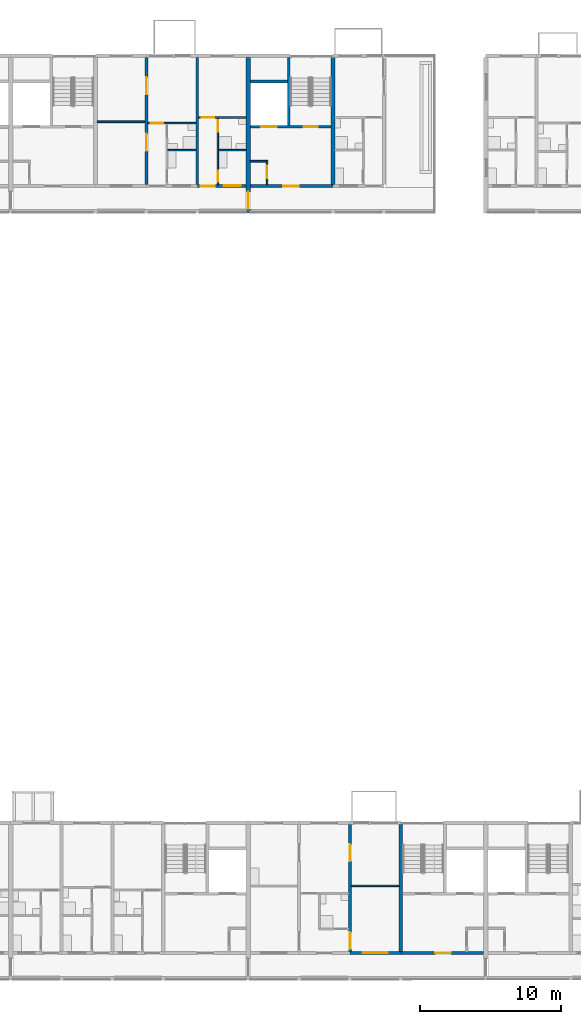
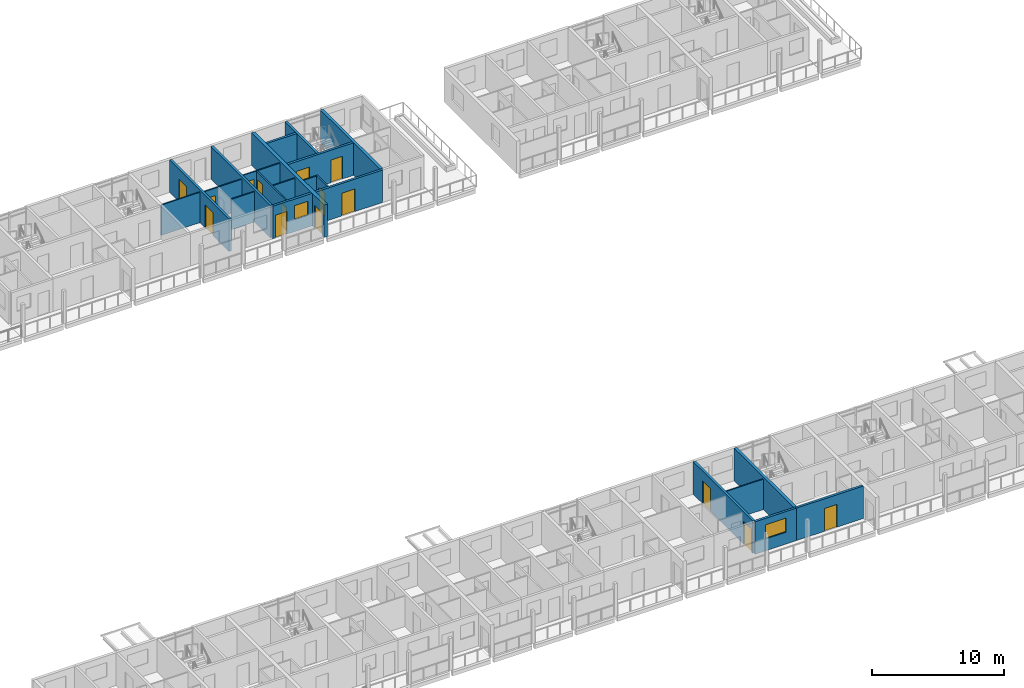
# One storey, part 52 of 94: 22 walls, 15 doors, 2 windows, 17 openings.
"""IFC4 building model written with IfcOpenShell, lengths in metres."""

from ifc_helpers import new_model, si_unit, direction, frame, frame_2d, origin, place, context, subcontext, project, spatial, rectangle, extrude, material, layer, layer_set, type_object, element, fill, save


model = new_model("IFC4")

# Units and contexts
model_context = context("Model", 3, precision=1e-05, world=origin(), true_north=direction((0.0, 1.0)))
body_context = subcontext(model_context, "Body", "Model", "MODEL_VIEW")
ifc_project = project(units=[si_unit("LENGTHUNIT", "METRE"), si_unit("AREAUNIT", "SQUARE_METRE"), si_unit("VOLUMEUNIT", "CUBIC_METRE"), si_unit("PLANEANGLEUNIT", "RADIAN"), si_unit("MASSUNIT", "GRAM", prefix="KILO")], contexts=[model_context])

# Site, building, storey
site_placement = place(None, origin())
site = spatial("IfcSite", under=ifc_project, at=site_placement, CompositionType="ELEMENT")
building_placement = place(site_placement, origin())
building = spatial("IfcBuilding", under=site, at=building_placement, Name="Ridgestep Commons", CompositionType="ELEMENT")
storey_placement = place(building_placement, frame((0.0, 0.0, 24.0)))
storey = spatial("IfcBuildingStorey", under=building, at=storey_placement, Name="L08", CompositionType="ELEMENT", Elevation=24.0)

# Walls
ifc_material_1 = material(Name="Concrete C30/37", Category="concrete")
ifc_layer_1 = layer(ifc_material_1, 0.25)
ifc_layer_set_1 = layer_set([ifc_layer_1], Name="Core cross wall 250")
wall_type_1 = type_object("IfcWallType", Name="Core cross wall 250", PredefinedType="SHEAR", material=ifc_layer_set_1)
for number, where, z_axis, x_axis, name in (
    (1, (203.199951171875, 68.0, 0.0), (0.0, 0.0, 1.0), (0.0, 1.0, 0.0), "Cross wall C-08-2032"),
    (2, (208.0, 13.75, 0.0), (0.0, 0.0, 1.0), (0.0, 1.0, 0.0), "Cross wall D-08-2080"),
):
    element("IfcWall", number, at=place(storey_placement, frame(where, z_axis=z_axis, x_axis=x_axis)), inside=storey, type_object=wall_type_1, Name=name, PredefinedType="SHEAR", context=body_context, shape_type="SweptSolid", body=[
        extrude(rectangle(XDim=9.0, YDim=0.25, at=frame_2d((4.5, 0.0))), origin(), (0.0, 0.0, 1.0), 3.0),
    ])

# Wall, opening, door
ifc_material_2 = material(Name="Concrete C30/37", Category="concrete")
ifc_layer_2 = layer(ifc_material_2, 0.199951171875)
ifc_layer_set_2 = layer_set([ifc_layer_2], Name="Core south wall 200")
wall_type_2 = type_object("IfcWallType", Name="Core south wall 200", PredefinedType="SHEAR", material=ifc_layer_set_2)
wall_1_placement = place(storey_placement, frame((197.35009765625, 67.89990234375, 0.0), z_axis=(0.0, 0.0, 1.0), x_axis=(1.0, 0.0, 0.0)))
wall_1 = element("IfcWall", 3, at=wall_1_placement, inside=storey, type_object=wall_type_2, Name="Core south wall C4C L08", PredefinedType="SHEAR", context=body_context, shape_type="SweptSolid", body=[
    extrude(rectangle(XDim=5.849853515625, YDim=0.199951171875, at=frame_2d((2.9248046875, 0.0))), origin(), (0.0, 0.0, 1.0), 3.0),
])
opening_1_placement = place(wall_1_placement, frame((2.3125, 0.0, 0.0)))
opening_1 = element("IfcOpeningElement", 4, at=opening_1_placement, cuts=wall_1, Name="Opening C4C/08/1", PredefinedType="OPENING", context=body_context, shape_type="SweptSolid", body=[
    extrude(rectangle(XDim=1.10009765625, YDim=2.10009765625, at=frame_2d((0.550048828125, 1.050048828125))), frame((0.0, 0.10986328125, 0.0), z_axis=(0.0, -1.0, 0.0), x_axis=(1.0, 0.0, 0.0)), (0.0, 0.0, 1.0), 0.219970703125),
])
ifc_material_3 = material(Name="Steel fire door", Category="steel")
door_type_1 = type_object("IfcDoorType", Name="Lobby door 1100 x 2100 FD60", OperationType="NOTDEFINED", PredefinedType="DOOR", material=ifc_material_3)
door_1_placement = place(opening_1_placement, origin())
door_1 = element("IfcDoor", 5, at=door_1_placement, inside=storey, type_object=door_type_1, Name="Lobby door C4C/08/1", OperationType="SINGLE_SWING_LEFT", OverallHeight=2.10009765625, OverallWidth=1.10009765625, PredefinedType="DOOR", context=body_context, shape_type="SweptSolid", body=[
    extrude(rectangle(XDim=1.10009765625, YDim=2.10009765625, at=frame_2d((0.550048828125, 1.050048828125))), frame((0.0, 0.02490234375, 0.0), z_axis=(0.0, -1.0, 0.0), x_axis=(1.0, 0.0, 0.0)), (0.0, 0.0, 1.0), 0.050048828125),
])
fill(opening_1, door_1)

wall_2_placement = place(storey_placement, frame((208.0, 13.64990234375, 0.0), z_axis=(0.0, 0.0, 1.0), x_axis=(1.0, 0.0, 0.0)))
wall_2 = element("IfcWall", 6, at=wall_2_placement, inside=storey, type_object=wall_type_2, Name="Core south wall D4C L08", PredefinedType="SHEAR", context=body_context, shape_type="SweptSolid", body=[
    extrude(rectangle(XDim=5.85009765625, YDim=0.199951171875, at=frame_2d((2.925048828125, 0.0))), origin(), (0.0, 0.0, 1.0), 3.0),
])
opening_2_placement = place(wall_2_placement, frame((2.4375, 0.0, 0.0)))
opening_2 = element("IfcOpeningElement", 7, at=opening_2_placement, cuts=wall_2, Name="Opening D4C/08/1", PredefinedType="OPENING", context=body_context, shape_type="SweptSolid", body=[
    extrude(rectangle(XDim=1.10009765625, YDim=2.10009765625, at=frame_2d((0.550048828125, 1.050048828125))), frame((0.0, 0.10986328125, 0.0), z_axis=(0.0, -1.0, 0.0), x_axis=(1.0, 0.0, 0.0)), (0.0, 0.0, 1.0), 0.219970703125),
])
door_2_placement = place(opening_2_placement, origin())
door_2 = element("IfcDoor", 8, at=door_2_placement, inside=storey, type_object=door_type_1, Name="Lobby door D4C/08/1", OperationType="SINGLE_SWING_LEFT", OverallHeight=2.10009765625, OverallWidth=1.10009765625, PredefinedType="DOOR", context=body_context, shape_type="SweptSolid", body=[
    extrude(rectangle(XDim=1.10009765625, YDim=2.10009765625, at=frame_2d((0.550048828125, 1.050048828125))), frame((0.0, 0.02490234375, 0.0), z_axis=(0.0, -1.0, 0.0), x_axis=(1.0, 0.0, 0.0)), (0.0, 0.0, 1.0), 0.050048828125),
])
fill(opening_2, door_2)

ifc_material_4 = material(Name="Concrete C30/37", Category="concrete")
ifc_layer_3 = layer(ifc_material_4, 0.1201171875)
ifc_layer_set_3 = layer_set([ifc_layer_3], Name="Core wall 120")
wall_type_3 = type_object("IfcWallType", Name="Core wall 120", PredefinedType="SHEAR", material=ifc_layer_set_3)
wall_3_placement = place(storey_placement, frame((198.5400390625, 68.0, 0.0), z_axis=(0.0, 0.0, 1.0), x_axis=(0.0, 1.0, 0.0)))
wall_3 = element("IfcWall", 9, at=wall_3_placement, inside=storey, type_object=wall_type_3, Name="Core riser w wall C4C L08", PredefinedType="SHEAR", context=body_context, shape_type="SweptSolid", body=[
    extrude(rectangle(XDim=1.719970703125, YDim=0.1201171875, at=frame_2d((0.85986328125, 0.0))), origin(), (0.0, 0.0, 1.0), 3.0),
])
opening_3_placement = place(wall_3_placement, frame((0.449951171875, 0.0, 0.0)))
opening_3 = element("IfcOpeningElement", 10, at=opening_3_placement, cuts=wall_3, Name="Opening C4C/08/4", PredefinedType="OPENING", context=body_context, shape_type="SweptSolid", body=[
    extrude(rectangle(XDim=0.89990234375, YDim=2.10009765625, at=frame_2d((0.449951171875, 1.050048828125))), frame((0.0, 0.070068359375, 0.0), z_axis=(0.0, -1.0, 0.0), x_axis=(1.0, 0.0, 0.0)), (0.0, 0.0, 1.0), 0.14013671875),
])
ifc_material_5 = material(Name="Steel fire door", Category="steel")
door_type_2 = type_object("IfcDoorType", Name="Riser door 900 x 2100 FD60", OperationType="NOTDEFINED", PredefinedType="DOOR", material=ifc_material_5)
door_3_placement = place(opening_3_placement, origin())
door_3 = element("IfcDoor", 11, at=door_3_placement, inside=storey, type_object=door_type_2, Name="Riser door C4C/08/4", OperationType="SINGLE_SWING_RIGHT", OverallHeight=2.10009765625, OverallWidth=0.89990234375, PredefinedType="DOOR", context=body_context, shape_type="SweptSolid", body=[
    extrude(rectangle(XDim=0.89990234375, YDim=2.10009765625, at=frame_2d((0.449951171875, 1.050048828125))), frame((0.0, 0.02490234375, 0.0), z_axis=(0.0, -1.0, 0.0), x_axis=(1.0, 0.0, 0.0)), (0.0, 0.0, 1.0), 0.050048828125),
])
fill(opening_3, door_3)

# Wall
wall_4_placement = place(storey_placement, frame((197.35009765625, 69.659912109375, 0.0), z_axis=(0.0, 0.0, 1.0), x_axis=(1.0, 0.0, 0.0)))
element("IfcWall", 12, at=wall_4_placement, inside=storey, type_object=wall_type_3, Name="Core riser n wall C4C L08", PredefinedType="SHEAR", context=body_context, shape_type="SweptSolid", body=[
    extrude(rectangle(XDim=1.1298828125, YDim=0.1201171875, at=frame_2d((0.56494140625, 0.0))), origin(), (0.0, 0.0, 1.0), 3.0),
])

# Wall, openings, doors
ifc_material_6 = material(Name="Concrete C30/37", Category="concrete")
ifc_layer_4 = layer(ifc_material_6, 0.199951171875)
ifc_layer_set_4 = layer_set([ifc_layer_4], Name="Core wall 200")
wall_type_4 = type_object("IfcWallType", Name="Core wall 200", PredefinedType="SHEAR", material=ifc_layer_set_4)
wall_5_placement = place(storey_placement, frame((197.35009765625, 72.10009765625, 0.0), z_axis=(0.0, 0.0, 1.0), x_axis=(1.0, 0.0, 0.0)))
wall_5 = element("IfcWall", 13, at=wall_5_placement, inside=storey, type_object=wall_type_4, Name="Core lobby wall C4C L08", PredefinedType="SHEAR", context=body_context, shape_type="SweptSolid", body=[
    extrude(rectangle(XDim=5.724853515625, YDim=0.199951171875, at=frame_2d((2.8623046875, 0.0))), origin(), (0.0, 0.0, 1.0), 3.0),
])
opening_4_placement = place(wall_5_placement, frame((3.77490234375, 0.0, 0.0)))
opening_4 = element("IfcOpeningElement", 14, at=opening_4_placement, cuts=wall_5, Name="Opening C4C/08/2", PredefinedType="OPENING", context=body_context, shape_type="SweptSolid", body=[
    extrude(rectangle(XDim=1.0, YDim=2.10009765625, at=frame_2d((0.5, 1.050048828125))), frame((0.0, 0.10986328125, 0.0), z_axis=(0.0, -1.0, 0.0), x_axis=(1.0, 0.0, 0.0)), (0.0, 0.0, 1.0), 0.219970703125),
])
opening_5_placement = place(wall_5_placement, frame((0.762451171875, 0.0, 0.0)))
opening_5 = element("IfcOpeningElement", 15, at=opening_5_placement, cuts=wall_5, Name="Opening C4C/08/3", PredefinedType="OPENING", context=body_context, shape_type="SweptSolid", body=[
    extrude(rectangle(XDim=1.10009765625, YDim=2.10009765625, at=frame_2d((0.550048828125, 1.050048828125))), frame((0.0, 0.10986328125, 0.0), z_axis=(0.0, -1.0, 0.0), x_axis=(1.0, 0.0, 0.0)), (0.0, 0.0, 1.0), 0.219970703125),
])
ifc_material_7 = material(Name="Stainless steel", Category="steel")
door_type_3 = type_object("IfcDoorType", Name="Lift landing door 1100 x 2100 FD60", OperationType="DOUBLE_DOOR_SLIDING", PredefinedType="DOOR", material=ifc_material_7)
door_4_placement = place(opening_5_placement, origin())
door_4 = element("IfcDoor", 16, at=door_4_placement, inside=storey, type_object=door_type_3, Name="Landing door LD C4C L08", OperationType="DOUBLE_DOOR_SLIDING", OverallHeight=2.10009765625, OverallWidth=1.10009765625, PredefinedType="DOOR", context=body_context, shape_type="SweptSolid", body=[
    extrude(rectangle(XDim=1.10009765625, YDim=2.10009765625, at=frame_2d((0.550048828125, 1.050048828125))), frame((0.0, 0.02490234375, 0.0), z_axis=(0.0, -1.0, 0.0), x_axis=(1.0, 0.0, 0.0)), (0.0, 0.0, 1.0), 0.050048828125),
])
fill(opening_5, door_4)
ifc_material_8 = material(Name="Steel fire door", Category="steel")
door_type_4 = type_object("IfcDoorType", Name="Stair door 1000 x 2100 FD60", OperationType="NOTDEFINED", PredefinedType="DOOR", material=ifc_material_8)
door_5_placement = place(opening_4_placement, origin())
door_5 = element("IfcDoor", 17, at=door_5_placement, inside=storey, type_object=door_type_4, Name="Stair door C4C/08/2", OperationType="SINGLE_SWING_RIGHT", OverallHeight=2.10009765625, OverallWidth=1.0, PredefinedType="DOOR", context=body_context, shape_type="SweptSolid", body=[
    extrude(rectangle(XDim=1.0, YDim=2.10009765625, at=frame_2d((0.5, 1.050048828125))), frame((0.0, 0.02490234375, 0.0), z_axis=(0.0, -1.0, 0.0), x_axis=(1.0, 0.0, 0.0)), (0.0, 0.0, 1.0), 0.050048828125),
])
fill(opening_4, door_5)

# Walls
wall_6_placement = place(storey_placement, frame((200.074951171875, 72.199951171875, 0.0), z_axis=(0.0, 0.0, 1.0), x_axis=(0.0, 1.0, 0.0)))
element("IfcWall", 18, at=wall_6_placement, inside=storey, type_object=wall_type_4, Name="Core stair wall C4C L08", PredefinedType="SHEAR", context=body_context, shape_type="SweptSolid", body=[
    extrude(rectangle(XDim=4.800048828125, YDim=0.199951171875, at=frame_2d((2.39990234375, 0.0))), origin(), (0.0, 0.0, 1.0), 3.0),
])
wall_7_placement = place(storey_placement, frame((197.35009765625, 75.300048828125, 0.0), z_axis=(0.0, 0.0, 1.0), x_axis=(1.0, 0.0, 0.0)))
element("IfcWall", 19, at=wall_7_placement, inside=storey, type_object=wall_type_4, Name="Core duct wall C4C L08", PredefinedType="SHEAR", context=body_context, shape_type="SweptSolid", body=[
    extrude(rectangle(XDim=2.625, YDim=0.199951171875, at=frame_2d((1.3125, 0.0))), origin(), (0.0, 0.0, 1.0), 3.0),
])

# Wall, openings, doors
ifc_material_9 = material(Name="Precast concrete C40/50", Category="concrete")
ifc_layer_5 = layer(ifc_material_9, 0.199951171875)
ifc_layer_set_5 = layer_set([ifc_layer_5], Name="Cross wall 200")
wall_type_5 = type_object("IfcWallType", Name="Cross wall 200", PredefinedType="SHEAR", material=ifc_layer_set_5)
wall_8_placement = place(storey_placement, frame((190.0, 68.0, 0.0), z_axis=(0.0, 0.0, 1.0), x_axis=(0.0, 1.0, 0.0)))
wall_8 = element("IfcWall", 20, at=wall_8_placement, inside=storey, type_object=wall_type_5, Name="Cross wall C-08-1900", PredefinedType="SHEAR", context=body_context, shape_type="SweptSolid", body=[
    extrude(rectangle(XDim=9.0, YDim=0.199951171875, at=frame_2d((4.5, 0.0))), origin(), (0.0, 0.0, 1.0), 3.0),
])
opening_6_placement = place(wall_8_placement, frame((2.39990234375, 0.0, 0.0)))
opening_6 = element("IfcOpeningElement", 21, at=opening_6_placement, cuts=wall_8, Name="Opening C3-08b/5", PredefinedType="OPENING", context=body_context, shape_type="SweptSolid", body=[
    extrude(rectangle(XDim=1.199951171875, YDim=2.10009765625, at=frame_2d((0.60009765625, 1.050048828125))), frame((0.0, 0.10986328125, 0.0), z_axis=(0.0, -1.0, 0.0), x_axis=(1.0, 0.0, 0.0)), (0.0, 0.0, 1.0), 0.219970703125),
])
opening_7_placement = place(wall_8_placement, frame((6.39990234375, 0.0, 0.0)))
opening_7 = element("IfcOpeningElement", 22, at=opening_7_placement, cuts=wall_8, Name="Opening C3-08b/6", PredefinedType="OPENING", context=body_context, shape_type="SweptSolid", body=[
    extrude(rectangle(XDim=1.199951171875, YDim=2.10009765625, at=frame_2d((0.60009765625, 1.050048828125))), frame((0.0, 0.10986328125, 0.0), z_axis=(0.0, -1.0, 0.0), x_axis=(1.0, 0.0, 0.0)), (0.0, 0.0, 1.0), 0.219970703125),
])
ifc_material_10 = material(Name="Timber door leaf", Category="wood")
door_type_5 = type_object("IfcDoorType", Name="Double door 1200 x 2100", OperationType="DOUBLE_DOOR_SINGLE_SWING", PredefinedType="DOOR", material=ifc_material_10)
door_6_placement = place(opening_6_placement, origin())
door_6 = element("IfcDoor", 23, at=door_6_placement, inside=storey, type_object=door_type_5, Name="Double door C3-08b/5", OperationType="DOUBLE_DOOR_SINGLE_SWING", OverallHeight=2.10009765625, OverallWidth=1.199951171875, PredefinedType="DOOR", context=body_context, shape_type="SweptSolid", body=[
    extrude(rectangle(XDim=1.199951171875, YDim=2.10009765625, at=frame_2d((0.60009765625, 1.050048828125))), frame((0.0, 0.02490234375, 0.0), z_axis=(0.0, -1.0, 0.0), x_axis=(1.0, 0.0, 0.0)), (0.0, 0.0, 1.0), 0.050048828125),
])
fill(opening_6, door_6)
door_7_placement = place(opening_7_placement, origin())
door_7 = element("IfcDoor", 24, at=door_7_placement, inside=storey, type_object=door_type_5, Name="Double door C3-08b/6", OperationType="DOUBLE_DOOR_SINGLE_SWING", OverallHeight=2.10009765625, OverallWidth=1.199951171875, PredefinedType="DOOR", context=body_context, shape_type="SweptSolid", body=[
    extrude(rectangle(XDim=1.199951171875, YDim=2.10009765625, at=frame_2d((0.60009765625, 1.050048828125))), frame((0.0, 0.02490234375, 0.0), z_axis=(0.0, -1.0, 0.0), x_axis=(1.0, 0.0, 0.0)), (0.0, 0.0, 1.0), 0.050048828125),
])
fill(opening_7, door_7)

# Wall
wall_9_placement = place(storey_placement, frame((193.60009765625, 68.0, 0.0), z_axis=(0.0, 0.0, 1.0), x_axis=(0.0, 1.0, 0.0)))
element("IfcWall", 25, at=wall_9_placement, inside=storey, type_object=wall_type_5, Name="Cross wall C-08-1936", PredefinedType="SHEAR", context=body_context, shape_type="SweptSolid", body=[
    extrude(rectangle(XDim=9.0, YDim=0.199951171875, at=frame_2d((4.5, 0.0))), origin(), (0.0, 0.0, 1.0), 3.0),
])

# Wall, openings, doors
wall_10_placement = place(storey_placement, frame((204.39990234375, 13.75, 0.0), z_axis=(0.0, 0.0, 1.0), x_axis=(0.0, 1.0, 0.0)))
wall_10 = element("IfcWall", 26, at=wall_10_placement, inside=storey, type_object=wall_type_5, Name="Cross wall D-08-2044", PredefinedType="SHEAR", context=body_context, shape_type="SweptSolid", body=[
    extrude(rectangle(XDim=9.0, YDim=0.199951171875, at=frame_2d((4.5, 0.0))), origin(), (0.0, 0.0, 1.0), 3.0),
])
opening_8_placement = place(wall_10_placement, frame((0.175048828125, 0.0, 0.0)))
opening_8 = element("IfcOpeningElement", 27, at=opening_8_placement, cuts=wall_10, Name="Opening D4-08a/6", PredefinedType="OPENING", context=body_context, shape_type="SweptSolid", body=[
    extrude(rectangle(XDim=1.199951171875, YDim=2.10009765625, at=frame_2d((0.60009765625, 1.050048828125))), frame((0.0, 0.10986328125, 0.0), z_axis=(0.0, -1.0, 0.0), x_axis=(1.0, 0.0, 0.0)), (0.0, 0.0, 1.0), 0.219970703125),
])
opening_9_placement = place(wall_10_placement, frame((6.39990234375, 0.0, 0.0)))
opening_9 = element("IfcOpeningElement", 28, at=opening_9_placement, cuts=wall_10, Name="Opening D4-08a/7", PredefinedType="OPENING", context=body_context, shape_type="SweptSolid", body=[
    extrude(rectangle(XDim=1.199951171875, YDim=2.10009765625, at=frame_2d((0.60009765625, 1.050048828125))), frame((0.0, 0.10986328125, 0.0), z_axis=(0.0, -1.0, 0.0), x_axis=(1.0, 0.0, 0.0)), (0.0, 0.0, 1.0), 0.219970703125),
])
door_8_placement = place(opening_8_placement, origin())
door_8 = element("IfcDoor", 29, at=door_8_placement, inside=storey, type_object=door_type_5, Name="Double door D4-08a/6", OperationType="DOUBLE_DOOR_SINGLE_SWING", OverallHeight=2.10009765625, OverallWidth=1.199951171875, PredefinedType="DOOR", context=body_context, shape_type="SweptSolid", body=[
    extrude(rectangle(XDim=1.199951171875, YDim=2.10009765625, at=frame_2d((0.60009765625, 1.050048828125))), frame((0.0, 0.02490234375, 0.0), z_axis=(0.0, -1.0, 0.0), x_axis=(1.0, 0.0, 0.0)), (0.0, 0.0, 1.0), 0.050048828125),
])
fill(opening_8, door_8)
door_9_placement = place(opening_9_placement, origin())
door_9 = element("IfcDoor", 30, at=door_9_placement, inside=storey, type_object=door_type_5, Name="Double door D4-08a/7", OperationType="DOUBLE_DOOR_SINGLE_SWING", OverallHeight=2.10009765625, OverallWidth=1.199951171875, PredefinedType="DOOR", context=body_context, shape_type="SweptSolid", body=[
    extrude(rectangle(XDim=1.199951171875, YDim=2.10009765625, at=frame_2d((0.60009765625, 1.050048828125))), frame((0.0, 0.02490234375, 0.0), z_axis=(0.0, -1.0, 0.0), x_axis=(1.0, 0.0, 0.0)), (0.0, 0.0, 1.0), 0.050048828125),
])
fill(opening_9, door_9)

# Wall, opening, door
ifc_material_11 = material(Name="Precast concrete C40/50", Category="concrete")
ifc_layer_6 = layer(ifc_material_11, 0.300048828125)
ifc_layer_set_6 = layer_set([ifc_layer_6], Name="Division wall 300")
wall_type_6 = type_object("IfcWallType", Name="Division wall 300", PredefinedType="SHEAR", material=ifc_layer_set_6)
wall_11_placement = place(storey_placement, frame((197.199951171875, 66.0, 0.0), z_axis=(0.0, 0.0, 1.0), x_axis=(0.0, 1.0, 0.0)))
wall_11 = element("IfcWall", 31, at=wall_11_placement, inside=storey, type_object=wall_type_6, Name="Cross wall C-08-1972", PredefinedType="SHEAR", context=body_context, shape_type="SweptSolid", body=[
    extrude(rectangle(XDim=11.0, YDim=0.300048828125, at=frame_2d((5.5, 0.0))), origin(), (0.0, 0.0, 1.0), 3.0),
])
opening_10_placement = place(wall_11_placement, frame((0.300048828125, 0.0, 0.0)))
opening_10 = element("IfcOpeningElement", 32, at=opening_10_placement, cuts=wall_11, Name="Opening C/08/G1972", PredefinedType="OPENING", context=body_context, shape_type="SweptSolid", body=[
    extrude(rectangle(XDim=1.199951171875, YDim=2.10009765625, at=frame_2d((0.60009765625, 1.050048828125))), frame((0.0, 0.159912109375, 0.0), z_axis=(0.0, -1.0, 0.0), x_axis=(1.0, 0.0, 0.0)), (0.0, 0.0, 1.0), 0.320068359375),
])
ifc_material_12 = material(Name="Steel fire door", Category="steel")
door_type_6 = type_object("IfcDoorType", Name="Division fire door 1200 x 2100 EI 240", OperationType="DOUBLE_DOOR_SINGLE_SWING", PredefinedType="DOOR", material=ifc_material_12)
door_10_placement = place(opening_10_placement, origin())
door_10 = element("IfcDoor", 33, at=door_10_placement, inside=storey, type_object=door_type_6, Name="Division fire door C/08/G1972", OperationType="DOUBLE_DOOR_SINGLE_SWING", OverallHeight=2.10009765625, OverallWidth=1.199951171875, PredefinedType="DOOR", context=body_context, shape_type="SweptSolid", body=[
    extrude(rectangle(XDim=1.199951171875, YDim=2.10009765625, at=frame_2d((0.60009765625, 1.050048828125))), frame((0.0, 0.02490234375, 0.0), z_axis=(0.0, -1.0, 0.0), x_axis=(1.0, 0.0, 0.0)), (0.0, 0.0, 1.0), 0.050048828125),
])
fill(opening_10, door_10)

# Wall, openings, doors
ifc_material_13 = material(Name="Common brick 110 mm", Category="masonry")
ifc_layer_7 = layer(ifc_material_13, 0.110107421875)
ifc_layer_set_7 = layer_set([ifc_layer_7], Name="Partition 110")
wall_type_7 = type_object("IfcWallType", Name="Partition 110", PredefinedType="PARTITIONING", material=ifc_layer_set_7)
wall_12_placement = place(storey_placement, frame((195.054931640625, 68.0, 0.0), z_axis=(0.0, 0.0, 1.0), x_axis=(0.0, 1.0, 0.0)))
wall_12 = element("IfcWall", 34, at=wall_12_placement, inside=storey, type_object=wall_type_7, Name="Partition C3-08a", PredefinedType="PARTITIONING", context=body_context, shape_type="SweptSolid", body=[
    extrude(rectangle(XDim=4.699951171875, YDim=0.110107421875, at=frame_2d((2.35009765625, 0.0))), origin(), (0.0, 0.0, 1.0), 2.800048828125),
])
opening_11_placement = place(wall_12_placement, frame((0.199951171875, 0.0, 0.0)))
opening_11 = element("IfcOpeningElement", 35, at=opening_11_placement, cuts=wall_12, Name="Opening C3-08a/2", PredefinedType="OPENING", context=body_context, shape_type="SweptSolid", body=[
    extrude(rectangle(XDim=0.800048828125, YDim=2.10009765625, at=frame_2d((0.39990234375, 1.050048828125))), frame((0.0, 0.06494140625, 0.0), z_axis=(0.0, -1.0, 0.0), x_axis=(1.0, 0.0, 0.0)), (0.0, 0.0, 1.0), 0.130126953125),
])
opening_12_placement = place(wall_12_placement, frame((3.75, 0.0, 0.0)))
opening_12 = element("IfcOpeningElement", 36, at=opening_12_placement, cuts=wall_12, Name="Opening C3-08a/3", PredefinedType="OPENING", context=body_context, shape_type="SweptSolid", body=[
    extrude(rectangle(XDim=0.800048828125, YDim=2.10009765625, at=frame_2d((0.39990234375, 1.050048828125))), frame((0.0, 0.06494140625, 0.0), z_axis=(0.0, -1.0, 0.0), x_axis=(1.0, 0.0, 0.0)), (0.0, 0.0, 1.0), 0.130126953125),
])
ifc_material_14 = material(Name="Timber door leaf", Category="wood")
door_type_7 = type_object("IfcDoorType", Name="Internal door 800 x 2100", OperationType="NOTDEFINED", PredefinedType="DOOR", material=ifc_material_14)
door_11_placement = place(opening_11_placement, origin())
door_11 = element("IfcDoor", 37, at=door_11_placement, inside=storey, type_object=door_type_7, Name="Internal door C3-08a/2", OperationType="SINGLE_SWING_RIGHT", OverallHeight=2.10009765625, OverallWidth=0.800048828125, PredefinedType="DOOR", context=body_context, shape_type="SweptSolid", body=[
    extrude(rectangle(XDim=0.800048828125, YDim=2.10009765625, at=frame_2d((0.39990234375, 1.050048828125))), frame((0.0, 0.02490234375, 0.0), z_axis=(0.0, -1.0, 0.0), x_axis=(1.0, 0.0, 0.0)), (0.0, 0.0, 1.0), 0.050048828125),
])
fill(opening_11, door_11)
door_12_placement = place(opening_12_placement, origin())
door_12 = element("IfcDoor", 38, at=door_12_placement, inside=storey, type_object=door_type_7, Name="Internal door C3-08a/3", OperationType="SINGLE_SWING_LEFT", OverallHeight=2.10009765625, OverallWidth=0.800048828125, PredefinedType="DOOR", context=body_context, shape_type="SweptSolid", body=[
    extrude(rectangle(XDim=0.800048828125, YDim=2.10009765625, at=frame_2d((0.39990234375, 1.050048828125))), frame((0.0, 0.02490234375, 0.0), z_axis=(0.0, -1.0, 0.0), x_axis=(1.0, 0.0, 0.0)), (0.0, 0.0, 1.0), 0.050048828125),
])
fill(opening_12, door_12)

# Wall
wall_13_placement = place(storey_placement, frame((195.110107421875, 70.455078125, 0.0), z_axis=(0.0, 0.0, 1.0), x_axis=(1.0, 0.0, 0.0)))
element("IfcWall", 39, at=wall_13_placement, inside=storey, type_object=wall_type_7, Name="Partition C3-08a", PredefinedType="PARTITIONING", context=body_context, shape_type="SweptSolid", body=[
    extrude(rectangle(XDim=1.93994140625, YDim=0.110107421875, at=frame_2d((0.969970703125, 0.0))), origin(), (0.0, 0.0, 1.0), 2.800048828125),
])

# Wall, opening, door
wall_14_placement = place(storey_placement, frame((193.699951171875, 72.7548828125, 0.0), z_axis=(0.0, 0.0, 1.0), x_axis=(1.0, 0.0, 0.0)))
wall_14 = element("IfcWall", 40, at=wall_14_placement, inside=storey, type_object=wall_type_7, Name="Partition C3-08a", PredefinedType="PARTITIONING", context=body_context, shape_type="SweptSolid", body=[
    extrude(rectangle(XDim=3.35009765625, YDim=0.110107421875, at=frame_2d((1.675048828125, 0.0))), origin(), (0.0, 0.0, 1.0), 2.800048828125),
])
opening_13_placement = place(wall_14_placement, frame((0.199951171875, 0.0, 0.0)))
opening_13 = element("IfcOpeningElement", 41, at=opening_13_placement, cuts=wall_14, Name="Opening C3-08a/4", PredefinedType="OPENING", context=body_context, shape_type="SweptSolid", body=[
    extrude(rectangle(XDim=0.89990234375, YDim=2.10009765625, at=frame_2d((0.449951171875, 1.050048828125))), frame((0.0, 0.06494140625, 0.0), z_axis=(0.0, -1.0, 0.0), x_axis=(1.0, 0.0, 0.0)), (0.0, 0.0, 1.0), 0.130126953125),
])
ifc_material_15 = material(Name="Timber door leaf", Category="wood")
door_type_8 = type_object("IfcDoorType", Name="Internal door 900 x 2100", OperationType="NOTDEFINED", PredefinedType="DOOR", material=ifc_material_15)
door_13_placement = place(opening_13_placement, origin())
door_13 = element("IfcDoor", 42, at=door_13_placement, inside=storey, type_object=door_type_8, Name="Internal door C3-08a/4", OperationType="SINGLE_SWING_LEFT", OverallHeight=2.10009765625, OverallWidth=0.89990234375, PredefinedType="DOOR", context=body_context, shape_type="SweptSolid", body=[
    extrude(rectangle(XDim=0.89990234375, YDim=2.10009765625, at=frame_2d((0.449951171875, 1.050048828125))), frame((0.0, 0.02490234375, 0.0), z_axis=(0.0, -1.0, 0.0), x_axis=(1.0, 0.0, 0.0)), (0.0, 0.0, 1.0), 0.050048828125),
])
fill(opening_13, door_13)

# Wall
wall_15_placement = place(storey_placement, frame((191.510009765625, 70.455078125, 0.0), z_axis=(0.0, 0.0, 1.0), x_axis=(1.0, 0.0, 0.0)))
element("IfcWall", 43, at=wall_15_placement, inside=storey, type_object=wall_type_7, Name="Partition C3-08b", PredefinedType="PARTITIONING", context=body_context, shape_type="SweptSolid", body=[
    extrude(rectangle(XDim=1.989990234375, YDim=0.110107421875, at=frame_2d((0.9951171875, 0.0))), origin(), (0.0, 0.0, 1.0), 2.800048828125),
])

# Wall, opening, door
wall_16_placement = place(storey_placement, frame((190.10009765625, 72.35498046875, 0.0), z_axis=(0.0, 0.0, 1.0), x_axis=(1.0, 0.0, 0.0)))
wall_16 = element("IfcWall", 44, at=wall_16_placement, inside=storey, type_object=wall_type_7, Name="Partition C3-08b", PredefinedType="PARTITIONING", context=body_context, shape_type="SweptSolid", body=[
    extrude(rectangle(XDim=3.39990234375, YDim=0.110107421875, at=frame_2d((1.699951171875, 0.0))), origin(), (0.0, 0.0, 1.0), 2.800048828125),
])
opening_14_placement = place(wall_16_placement, frame((0.199951171875, 0.0, 0.0)))
opening_14 = element("IfcOpeningElement", 45, at=opening_14_placement, cuts=wall_16, Name="Opening C3-08b/4", PredefinedType="OPENING", context=body_context, shape_type="SweptSolid", body=[
    extrude(rectangle(XDim=0.89990234375, YDim=2.10009765625, at=frame_2d((0.449951171875, 1.050048828125))), frame((0.0, 0.06494140625, 0.0), z_axis=(0.0, -1.0, 0.0), x_axis=(1.0, 0.0, 0.0)), (0.0, 0.0, 1.0), 0.130126953125),
])
door_14_placement = place(opening_14_placement, origin())
door_14 = element("IfcDoor", 46, at=door_14_placement, inside=storey, type_object=door_type_8, Name="Internal door C3-08b/4", OperationType="SINGLE_SWING_LEFT", OverallHeight=2.10009765625, OverallWidth=0.89990234375, PredefinedType="DOOR", context=body_context, shape_type="SweptSolid", body=[
    extrude(rectangle(XDim=0.89990234375, YDim=2.10009765625, at=frame_2d((0.449951171875, 1.050048828125))), frame((0.0, 0.02490234375, 0.0), z_axis=(0.0, -1.0, 0.0), x_axis=(1.0, 0.0, 0.0)), (0.0, 0.0, 1.0), 0.050048828125),
])
fill(opening_14, door_14)

# Walls
for number, where, z_axis, x_axis, name in (
    (47, (186.52490234375, 72.455078125, 0.0), (0.0, 0.0, 1.0), (1.0, 0.0, 0.0), "Partition C3-08b"),
    (48, (204.5, 18.405029296875, 0.0), (0.0, 0.0, 1.0), (1.0, 0.0, 0.0), "Partition D4-08a"),
):
    element("IfcWall", number, at=place(storey_placement, frame(where, z_axis=z_axis, x_axis=x_axis)), inside=storey, type_object=wall_type_7, Name=name, PredefinedType="PARTITIONING", context=body_context, shape_type="SweptSolid", body=[
        extrude(rectangle(XDim=3.375, YDim=0.110107421875, at=frame_2d((1.6875, 0.0))), origin(), (0.0, 0.0, 1.0), 2.800048828125),
    ])

# Wall, openings, door, window
ifc_material_16 = material(Name="Precast concrete C40/50", Category="concrete")
ifc_layer_8 = layer(ifc_material_16, 0.199951171875)
ifc_layer_set_8 = layer_set([ifc_layer_8], Name="South facade panel 200")
wall_type_8 = type_object("IfcWallType", Name="South facade panel 200", PredefinedType="SOLIDWALL", material=ifc_layer_set_8)
wall_17_placement = place(storey_placement, frame((193.60009765625, 67.89990234375, 0.0), z_axis=(0.0, 0.0, 1.0), x_axis=(1.0, 0.0, 0.0)))
wall_17 = element("IfcWall", 49, at=wall_17_placement, inside=storey, type_object=wall_type_8, Name="South panel C3T1 L08", PredefinedType="SOLIDWALL", context=body_context, shape_type="SweptSolid", body=[
    extrude(rectangle(XDim=3.449951171875, YDim=0.199951171875, at=frame_2d((1.72509765625, 0.0))), origin(), (0.0, 0.0, 1.0), 3.0),
])
opening_15_placement = place(wall_17_placement, frame((1.8798828125, 0.0, 1.10009765625)))
opening_15 = element("IfcOpeningElement", 50, at=opening_15_placement, cuts=wall_17, Name="Opening W08", PredefinedType="OPENING", context=body_context, shape_type="SweptSolid", body=[
    extrude(rectangle(XDim=1.199951171875, YDim=1.300048828125, at=frame_2d((0.60009765625, 0.64990234375))), frame((0.0, 0.10986328125, 0.0), z_axis=(0.0, -1.0, 0.0), x_axis=(1.0, 0.0, 0.0)), (0.0, 0.0, 1.0), 0.219970703125),
])
opening_16_placement = place(wall_17_placement, frame((0.25, 0.0, 0.0)))
opening_16 = element("IfcOpeningElement", 51, at=opening_16_placement, cuts=wall_17, Name="Opening C3-08a/1", PredefinedType="OPENING", context=body_context, shape_type="SweptSolid", body=[
    extrude(rectangle(XDim=1.0, YDim=2.10009765625, at=frame_2d((0.5, 1.050048828125))), frame((0.0, 0.10986328125, 0.0), z_axis=(0.0, -1.0, 0.0), x_axis=(1.0, 0.0, 0.0)), (0.0, 0.0, 1.0), 0.219970703125),
])
ifc_material_17 = material(Name="Timber door leaf", Category="wood")
door_type_9 = type_object("IfcDoorType", Name="Flat entrance door 1000 x 2100 FD30S", OperationType="NOTDEFINED", PredefinedType="DOOR", material=ifc_material_17)
door_15_placement = place(opening_16_placement, origin())
door_15 = element("IfcDoor", 52, at=door_15_placement, inside=storey, type_object=door_type_9, Name="Flat entrance door C3-08a/1", OperationType="SINGLE_SWING_LEFT", OverallHeight=2.10009765625, OverallWidth=1.0, PredefinedType="DOOR", context=body_context, shape_type="SweptSolid", body=[
    extrude(rectangle(XDim=1.0, YDim=2.10009765625, at=frame_2d((0.5, 1.050048828125))), frame((0.0, 0.02490234375, 0.0), z_axis=(0.0, -1.0, 0.0), x_axis=(1.0, 0.0, 0.0)), (0.0, 0.0, 1.0), 0.050048828125),
])
fill(opening_16, door_15)
ifc_material_18 = material(Name="Aluminium 6063-T6 and glass", Category="aluminium")
window_type_1 = type_object("IfcWindowType", Name="Flat window 1200 x 1300", PartitioningType="SINGLE_PANEL", PredefinedType="WINDOW", material=ifc_material_18)
window_1_placement = place(opening_15_placement, origin())
window_1 = element("IfcWindow", 53, at=window_1_placement, inside=storey, type_object=window_type_1, Name="Window C3-08a 1", OverallHeight=1.300048828125, OverallWidth=1.199951171875, PartitioningType="SINGLE_PANEL", PredefinedType="WINDOW", context=body_context, shape_type="SweptSolid", body=[
    extrude(rectangle(XDim=1.199951171875, YDim=1.300048828125, at=frame_2d((0.60009765625, 0.64990234375))), frame((0.0, 0.06005859375, 0.0), z_axis=(0.0, -1.0, 0.0), x_axis=(1.0, 0.0, 0.0)), (0.0, 0.0, 1.0), 0.06005859375),
])
fill(opening_15, window_1)

# Wall, opening, window
wall_18_placement = place(storey_placement, frame((204.39990234375, 13.64990234375, 0.0), z_axis=(0.0, 0.0, 1.0), x_axis=(1.0, 0.0, 0.0)))
wall_18 = element("IfcWall", 54, at=wall_18_placement, inside=storey, type_object=wall_type_8, Name="South panel D4T3 L08", PredefinedType="SOLIDWALL", context=body_context, shape_type="SweptSolid", body=[
    extrude(rectangle(XDim=3.60009765625, YDim=0.199951171875, at=frame_2d((1.800048828125, 0.0))), origin(), (0.0, 0.0, 1.0), 3.0),
])
opening_17_placement = place(wall_18_placement, frame((0.887451171875, 0.0, 1.10009765625)))
opening_17 = element("IfcOpeningElement", 55, at=opening_17_placement, cuts=wall_18, Name="Opening W18", PredefinedType="OPENING", context=body_context, shape_type="SweptSolid", body=[
    extrude(rectangle(XDim=1.800048828125, YDim=1.300048828125, at=frame_2d((0.89990234375, 0.64990234375))), frame((0.0, 0.10986328125, 0.0), z_axis=(0.0, -1.0, 0.0), x_axis=(1.0, 0.0, 0.0)), (0.0, 0.0, 1.0), 0.219970703125),
])
ifc_material_19 = material(Name="Aluminium 6063-T6 and glass", Category="aluminium")
window_type_2 = type_object("IfcWindowType", Name="Flat window 1800 x 1300", PartitioningType="DOUBLE_PANEL_VERTICAL", PredefinedType="WINDOW", material=ifc_material_19)
window_2_placement = place(opening_17_placement, origin())
window_2 = element("IfcWindow", 56, at=window_2_placement, inside=storey, type_object=window_type_2, Name="Window D4-08a 3", OverallHeight=1.300048828125, OverallWidth=1.800048828125, PartitioningType="SINGLE_PANEL", PredefinedType="WINDOW", context=body_context, shape_type="SweptSolid", body=[
    extrude(rectangle(XDim=1.800048828125, YDim=1.300048828125, at=frame_2d((0.89990234375, 0.64990234375))), frame((0.0, 0.06005859375, 0.0), z_axis=(0.0, -1.0, 0.0), x_axis=(1.0, 0.0, 0.0)), (0.0, 0.0, 1.0), 0.06005859375),
])
fill(opening_17, window_2)

save(model, "model.ifc")
